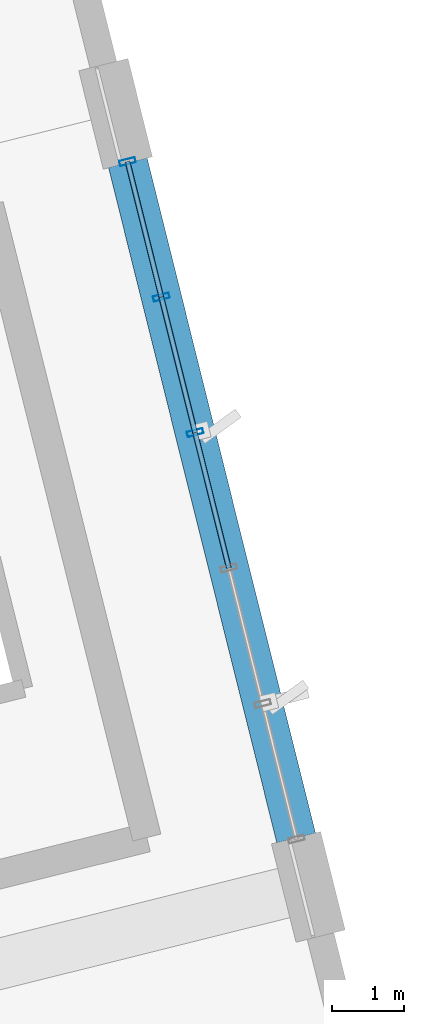
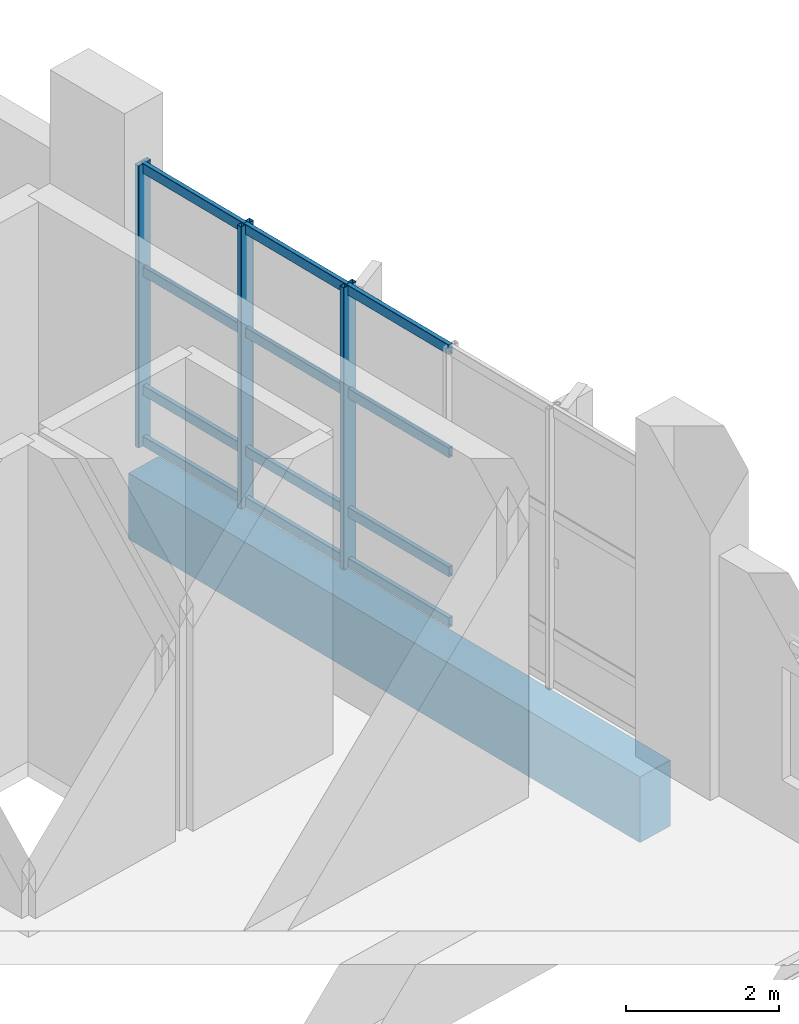
# One storey, part 81 of 176: 15 members, 1 beam, 1 element without a shape of its own.
"""IFC4 building model written with IfcOpenShell, lengths in metres."""

from ifc_helpers import new_model, si_unit, direction, frame, origin, origin_2d, place, context, subcontext, project, spatial, rectangle, hollow_rectangle, extrude, material, layer, layer_set, material_profile, profile_set, type_object, element, aggregate, save


model = new_model("IFC4")

# Units and contexts
model_context = context("Model", 3, precision=1e-05, world=origin(), true_north=direction((0.0, 1.0)))
body_context = subcontext(model_context, "Body", "Model", "MODEL_VIEW")
ifc_project = project(units=[si_unit("LENGTHUNIT", "METRE"), si_unit("AREAUNIT", "SQUARE_METRE"), si_unit("VOLUMEUNIT", "CUBIC_METRE"), si_unit("PLANEANGLEUNIT", "RADIAN"), si_unit("MASSUNIT", "GRAM", prefix="KILO")], contexts=[model_context])

# Site, building, storey
site_placement = place(None, origin())
site = spatial("IfcSite", under=ifc_project, at=site_placement, CompositionType="ELEMENT")
building_placement = place(site_placement, origin())
building = spatial("IfcBuilding", under=site, at=building_placement, Name="Khorjan Park Terminus", CompositionType="ELEMENT")
storey_placement = place(building_placement, frame((0.0, 0.0, 6.0)))
storey = spatial("IfcBuildingStorey", under=building, at=storey_placement, Name="L01", CompositionType="ELEMENT", Elevation=6.0)

# Beam
ifc_material_1 = material(Name="Concrete C40/50", Category="concrete")
ifc_material_profile_1 = material_profile(ifc_material_1, rectangle(XDim=0.55, YDim=1.05, at=origin_2d()), Name="RC 550x1050")
ifc_profile_set_1 = profile_set([ifc_material_profile_1], Name="Concrete C40/50")
beam_type = type_object("IfcBeamType", Name="BM-RC550x1050", PredefinedType="BEAM", material=ifc_profile_set_1)
beam_placement = place(storey_placement, frame((224.5491, 39.9877, -0.885), z_axis=(-0.241925915978, 0.970294723874, 0.0), x_axis=(-0.970294723874, -0.241925915978, 0.0)))
element("IfcBeam", 1, at=beam_placement, inside=storey, type_object=beam_type, Name="Primary skew-grid floor girder GB-105 (L01)", PredefinedType="BEAM", context=body_context, shape_type="SweptSolid", body=[
    extrude(rectangle(XDim=0.55, YDim=1.05, at=origin_2d()), origin(), (0.0, 0.0, 1.0), 9.61),
])

# Curtain wall, members
ifc_material_2 = material(Name="Anodized Bronze Aluminium", Category="aluminium")
ifc_layer = layer(ifc_material_2, 0.22)
ifc_layer_set = layer_set([ifc_layer], Name="Anodized Bronze Aluminium")
curtain_wall_type = type_object("IfcCurtainWallType", Name="CW-OPS-B", PredefinedType="NOTDEFINED", material=ifc_layer_set)
curtain_wall_placement = place(storey_placement, origin())
curtain_wall = element("IfcCurtainWall", 2, at=curtain_wall_placement, inside=storey, type_object=curtain_wall_type, Name="Unitized curtain wall CW-B (CW-V5-E-L01-B03)", PredefinedType="NOTDEFINED")
ifc_material_profile_2 = material_profile(ifc_material_2, hollow_rectangle(XDim=0.075, YDim=0.225, WallThickness=0.005, InnerFilletRadius=0.005, OuterFilletRadius=0.01, at=origin_2d()), Name="ALM 75x225x5")
ifc_profile_set_2 = profile_set([ifc_material_profile_2], Name="Anodized Bronze Aluminium")
member_type_1 = type_object("IfcMemberType", Name="ML-ALM-225", PredefinedType="MULLION", material=ifc_profile_set_2)
member_1_placement = place(storey_placement, frame((223.1534, 45.5855, -0.035), z_axis=(0.0, 0.0, 1.0), x_axis=(-0.241922975976, 0.970295456907, 0.0)))
member_1 = element("IfcMember", 3, at=member_1_placement, type_object=member_type_1, Name="Curtain-wall mullion ML-22 (CW-V5-E-L01-B03-3)", PredefinedType="MULLION", context=body_context, shape_type="SweptSolid", body=[
    extrude(hollow_rectangle(XDim=0.075, YDim=0.225, WallThickness=0.005, InnerFilletRadius=0.005, OuterFilletRadius=0.01, at=origin_2d()), origin(), (0.0, 0.0, 1.0), 4.495),
])
member_2_placement = place(storey_placement, frame((222.687, 47.4563, -0.035), z_axis=(0.0, 0.0, 1.0), x_axis=(-0.241922975976, 0.970295456907, 0.0)))
member_2 = element("IfcMember", 4, at=member_2_placement, type_object=member_type_1, Name="Curtain-wall mullion ML-22 (CW-V5-E-L01-B03-4)", PredefinedType="MULLION", context=body_context, shape_type="SweptSolid", body=[
    extrude(hollow_rectangle(XDim=0.075, YDim=0.225, WallThickness=0.005, InnerFilletRadius=0.005, OuterFilletRadius=0.01, at=origin_2d()), origin(), (0.0, 0.0, 1.0), 4.495),
])
member_3_placement = place(storey_placement, frame((222.2205, 49.3272, -0.035), z_axis=(0.0, 0.0, 1.0), x_axis=(-0.241922975976, 0.970295456907, 0.0)))
member_3 = element("IfcMember", 5, at=member_3_placement, type_object=member_type_1, Name="Curtain-wall mullion ML-22 (CW-V5-E-L01-B03-5)", PredefinedType="MULLION", context=body_context, shape_type="SweptSolid", body=[
    extrude(hollow_rectangle(XDim=0.075, YDim=0.225, WallThickness=0.005, InnerFilletRadius=0.005, OuterFilletRadius=0.01, at=origin_2d()), origin(), (0.0, 0.0, 1.0), 4.495),
])
ifc_material_profile_3 = material_profile(ifc_material_2, hollow_rectangle(XDim=0.07, YDim=0.16, WallThickness=0.004, InnerFilletRadius=0.004, OuterFilletRadius=0.008, at=origin_2d()), Name="ALT 70x160x4")
ifc_profile_set_3 = profile_set([ifc_material_profile_3], Name="Anodized Bronze Aluminium")
member_type_2 = type_object("IfcMemberType", Name="TR-ALT-160", PredefinedType="USERDEFINED", material=ifc_profile_set_3)
member_4_placement = place(storey_placement, frame((223.6199, 43.7146, 0.04), z_axis=(-0.241937637138, 0.970291801334, 0.0), x_axis=(-0.970291801334, -0.241937637138, 0.0)))
member_4 = element("IfcMember", 6, at=member_4_placement, type_object=member_type_2, Name="Curtain-wall transom TR-16 (CW-V5-E-L01-B03-2-1)", ObjectType="TRANSOM", PredefinedType="USERDEFINED", context=body_context, shape_type="SweptSolid", body=[
    extrude(hollow_rectangle(XDim=0.07, YDim=0.16, WallThickness=0.004, InnerFilletRadius=0.004, OuterFilletRadius=0.008, at=origin_2d()), origin(), (0.0, 0.0, 1.0), 1.9282),
])
member_5_placement = place(storey_placement, frame((223.6199, 43.7146, 0.85), z_axis=(-0.241937637138, 0.970291801334, 0.0), x_axis=(-0.970291801334, -0.241937637138, 0.0)))
member_5 = element("IfcMember", 7, at=member_5_placement, type_object=member_type_2, Name="Curtain-wall transom TR-16 (CW-V5-E-L01-B03-2-2)", ObjectType="TRANSOM", PredefinedType="USERDEFINED", context=body_context, shape_type="SweptSolid", body=[
    extrude(hollow_rectangle(XDim=0.07, YDim=0.16, WallThickness=0.004, InnerFilletRadius=0.004, OuterFilletRadius=0.008, at=origin_2d()), origin(), (0.0, 0.0, 1.0), 1.9282),
])
member_6_placement = place(storey_placement, frame((223.6199, 43.7146, 2.7435), z_axis=(-0.241937637138, 0.970291801334, 0.0), x_axis=(-0.970291801334, -0.241937637138, 0.0)))
member_6 = element("IfcMember", 8, at=member_6_placement, type_object=member_type_2, Name="Curtain-wall transom TR-16 (CW-V5-E-L01-B03-2-3)", ObjectType="TRANSOM", PredefinedType="USERDEFINED", context=body_context, shape_type="SweptSolid", body=[
    extrude(hollow_rectangle(XDim=0.07, YDim=0.16, WallThickness=0.004, InnerFilletRadius=0.004, OuterFilletRadius=0.008, at=origin_2d()), origin(), (0.0, 0.0, 1.0), 1.9282),
])
member_7_placement = place(storey_placement, frame((223.6199, 43.7146, 4.385), z_axis=(-0.241937637138, 0.970291801334, 0.0), x_axis=(-0.970291801334, -0.241937637138, 0.0)))
member_7 = element("IfcMember", 9, at=member_7_placement, type_object=member_type_2, Name="Curtain-wall transom TR-16 (CW-V5-E-L01-B03-2-4)", ObjectType="TRANSOM", PredefinedType="USERDEFINED", context=body_context, shape_type="SweptSolid", body=[
    extrude(hollow_rectangle(XDim=0.07, YDim=0.16, WallThickness=0.004, InnerFilletRadius=0.004, OuterFilletRadius=0.008, at=origin_2d()), origin(), (0.0, 0.0, 1.0), 1.9282),
])
member_8_placement = place(storey_placement, frame((223.1534, 45.5855, 0.04), z_axis=(-0.241900982739, 0.970300940198, 0.0), x_axis=(-0.970300940198, -0.241900982739, 0.0)))
member_8 = element("IfcMember", 10, at=member_8_placement, type_object=member_type_2, Name="Curtain-wall transom TR-16 (CW-V5-E-L01-B03-3-1)", ObjectType="TRANSOM", PredefinedType="USERDEFINED", context=body_context, shape_type="SweptSolid", body=[
    extrude(hollow_rectangle(XDim=0.07, YDim=0.16, WallThickness=0.004, InnerFilletRadius=0.004, OuterFilletRadius=0.008, at=origin_2d()), origin(), (0.0, 0.0, 1.0), 1.9281),
])
member_9_placement = place(storey_placement, frame((223.1534, 45.5855, 0.85), z_axis=(-0.241900982739, 0.970300940198, 0.0), x_axis=(-0.970300940198, -0.241900982739, 0.0)))
member_9 = element("IfcMember", 11, at=member_9_placement, type_object=member_type_2, Name="Curtain-wall transom TR-16 (CW-V5-E-L01-B03-3-2)", ObjectType="TRANSOM", PredefinedType="USERDEFINED", context=body_context, shape_type="SweptSolid", body=[
    extrude(hollow_rectangle(XDim=0.07, YDim=0.16, WallThickness=0.004, InnerFilletRadius=0.004, OuterFilletRadius=0.008, at=origin_2d()), origin(), (0.0, 0.0, 1.0), 1.9281),
])
member_10_placement = place(storey_placement, frame((223.1534, 45.5855, 2.7435), z_axis=(-0.241900982739, 0.970300940198, 0.0), x_axis=(-0.970300940198, -0.241900982739, 0.0)))
member_10 = element("IfcMember", 12, at=member_10_placement, type_object=member_type_2, Name="Curtain-wall transom TR-16 (CW-V5-E-L01-B03-3-3)", ObjectType="TRANSOM", PredefinedType="USERDEFINED", context=body_context, shape_type="SweptSolid", body=[
    extrude(hollow_rectangle(XDim=0.07, YDim=0.16, WallThickness=0.004, InnerFilletRadius=0.004, OuterFilletRadius=0.008, at=origin_2d()), origin(), (0.0, 0.0, 1.0), 1.9281),
])
member_11_placement = place(storey_placement, frame((223.1534, 45.5855, 4.385), z_axis=(-0.241900982739, 0.970300940198, 0.0), x_axis=(-0.970300940198, -0.241900982739, 0.0)))
member_11 = element("IfcMember", 13, at=member_11_placement, type_object=member_type_2, Name="Curtain-wall transom TR-16 (CW-V5-E-L01-B03-3-4)", ObjectType="TRANSOM", PredefinedType="USERDEFINED", context=body_context, shape_type="SweptSolid", body=[
    extrude(hollow_rectangle(XDim=0.07, YDim=0.16, WallThickness=0.004, InnerFilletRadius=0.004, OuterFilletRadius=0.008, at=origin_2d()), origin(), (0.0, 0.0, 1.0), 1.9281),
])
member_12_placement = place(storey_placement, frame((222.687, 47.4563, 0.04), z_axis=(-0.241937637138, 0.970291801334, 0.0), x_axis=(-0.970291801334, -0.241937637138, 0.0)))
member_12 = element("IfcMember", 14, at=member_12_placement, type_object=member_type_2, Name="Curtain-wall transom TR-16 (CW-V5-E-L01-B03-4-1)", ObjectType="TRANSOM", PredefinedType="USERDEFINED", context=body_context, shape_type="SweptSolid", body=[
    extrude(hollow_rectangle(XDim=0.07, YDim=0.16, WallThickness=0.004, InnerFilletRadius=0.004, OuterFilletRadius=0.008, at=origin_2d()), origin(), (0.0, 0.0, 1.0), 1.9282),
])
member_13_placement = place(storey_placement, frame((222.687, 47.4563, 0.85), z_axis=(-0.241937637138, 0.970291801334, 0.0), x_axis=(-0.970291801334, -0.241937637138, 0.0)))
member_13 = element("IfcMember", 15, at=member_13_placement, type_object=member_type_2, Name="Curtain-wall transom TR-16 (CW-V5-E-L01-B03-4-2)", ObjectType="TRANSOM", PredefinedType="USERDEFINED", context=body_context, shape_type="SweptSolid", body=[
    extrude(hollow_rectangle(XDim=0.07, YDim=0.16, WallThickness=0.004, InnerFilletRadius=0.004, OuterFilletRadius=0.008, at=origin_2d()), origin(), (0.0, 0.0, 1.0), 1.9282),
])
member_14_placement = place(storey_placement, frame((222.687, 47.4563, 2.7435), z_axis=(-0.241937637138, 0.970291801334, 0.0), x_axis=(-0.970291801334, -0.241937637138, 0.0)))
member_14 = element("IfcMember", 16, at=member_14_placement, type_object=member_type_2, Name="Curtain-wall transom TR-16 (CW-V5-E-L01-B03-4-3)", ObjectType="TRANSOM", PredefinedType="USERDEFINED", context=body_context, shape_type="SweptSolid", body=[
    extrude(hollow_rectangle(XDim=0.07, YDim=0.16, WallThickness=0.004, InnerFilletRadius=0.004, OuterFilletRadius=0.008, at=origin_2d()), origin(), (0.0, 0.0, 1.0), 1.9282),
])
member_15_placement = place(storey_placement, frame((222.687, 47.4563, 4.385), z_axis=(-0.241937637138, 0.970291801334, 0.0), x_axis=(-0.970291801334, -0.241937637138, 0.0)))
member_15 = element("IfcMember", 17, at=member_15_placement, type_object=member_type_2, Name="Curtain-wall transom TR-16 (CW-V5-E-L01-B03-4-4)", ObjectType="TRANSOM", PredefinedType="USERDEFINED", context=body_context, shape_type="SweptSolid", body=[
    extrude(hollow_rectangle(XDim=0.07, YDim=0.16, WallThickness=0.004, InnerFilletRadius=0.004, OuterFilletRadius=0.008, at=origin_2d()), origin(), (0.0, 0.0, 1.0), 1.9282),
])
aggregate(curtain_wall, [member_1, member_2, member_3, member_4, member_5, member_6, member_7, member_8, member_9, member_10, member_11, member_12, member_13, member_14, member_15])

save(model, "model.ifc")
